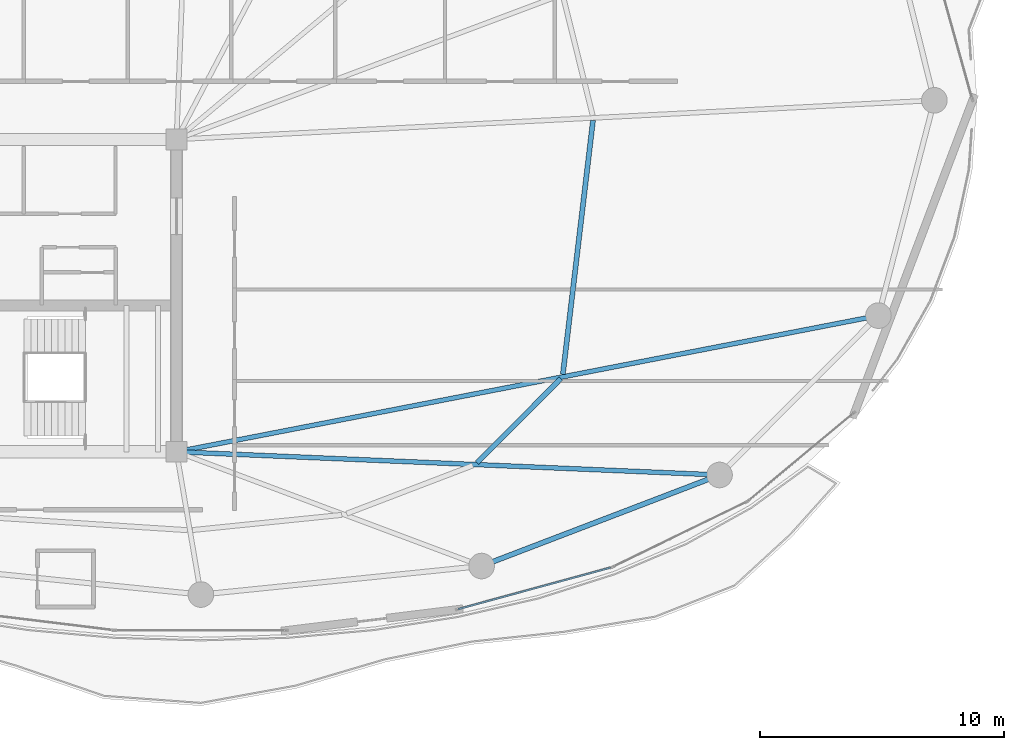
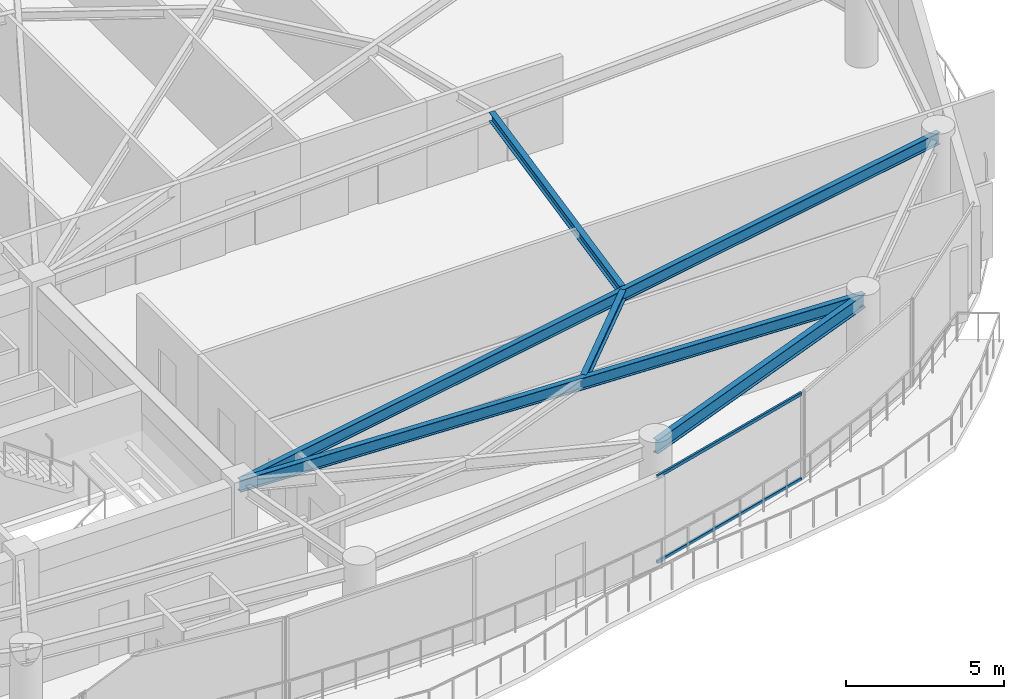
# One storey, part 11 of 29: 5 beams, 2 members, 1 element without a shape of its own.
"""IFC4 building model written with IfcOpenShell, lengths in metres."""

from ifc_helpers import new_model, si_unit, direction, frame, origin, origin_2d, place, context, subcontext, project, spatial, hollow_rectangle, i_section, extrude, material, layer, layer_set, material_profile, profile_set, type_object, element, aggregate, save


model = new_model("IFC4")

# Units and contexts
model_context = context("Model", 3, precision=1e-05, world=origin(), true_north=direction((0.0, 1.0)))
body_context = subcontext(model_context, "Body", "Model", "MODEL_VIEW")
ifc_project = project(units=[si_unit("LENGTHUNIT", "METRE"), si_unit("AREAUNIT", "SQUARE_METRE"), si_unit("VOLUMEUNIT", "CUBIC_METRE"), si_unit("PLANEANGLEUNIT", "RADIAN"), si_unit("MASSUNIT", "GRAM", prefix="KILO")], contexts=[model_context])

# Site, building, storey
site_placement = place(None, origin())
site = spatial("IfcSite", under=ifc_project, at=site_placement, CompositionType="ELEMENT")
building_placement = place(site_placement, origin())
building = spatial("IfcBuilding", under=site, at=building_placement, Name="Kazevale Care Tower and Concert Hall", CompositionType="ELEMENT")
storey_placement = place(building_placement, frame((0.0, 0.0, 224.39990234375)))
storey = spatial("IfcBuildingStorey", under=building, at=storey_placement, Name="L59", CompositionType="ELEMENT", Elevation=224.39990234375)

# Curtain wall, members
ifc_material_1 = material(Name="Aluminium 6063-T6 and Low-E Glass", Category="aluminium")
ifc_layer = layer(ifc_material_1, 0.179931640625)
ifc_layer_set = layer_set([ifc_layer], Name="Aluminium 6063-T6 and Low-E Glass")
curtain_wall_type = type_object("IfcCurtainWallType", Name="Sheltered Concave Balcony Curtain Wall CW-5", PredefinedType="NOTDEFINED", material=ifc_layer_set)
curtain_wall_placement = place(storey_placement, origin())
curtain_wall = element("IfcCurtainWall", 1, at=curtain_wall_placement, inside=storey, type_object=curtain_wall_type, Name="cw:L59:f04", PredefinedType="NOTDEFINED")
ifc_material_2 = material(Name="Aluminium 6063-T6", Category="aluminium")
ifc_material_profile_1 = material_profile(ifc_material_2, hollow_rectangle(XDim=0.074951171875, YDim=0.1201171875, WallThickness=0.00390625, at=origin_2d()), Name="ALU75x120x4")
ifc_profile_set_1 = profile_set([ifc_material_profile_1], Name="Aluminium 6063-T6")
member_type = type_object("IfcMemberType", Name="CW-5 Transom ALU75x120x4", PredefinedType="USERDEFINED", material=ifc_profile_set_1)
member_1_placement = place(storey_placement, frame((61.78369140625, 18.853271484375, 0.03759765625), z_axis=(-0.964843890632, -0.262823641842, 0.0), x_axis=(0.262823641842, -0.964843890632, 0.0)))
member_1 = element("IfcMember", 2, at=member_1_placement, type_object=member_type, Name="CW-5 transom 1.1", ObjectType="TRANSOM", PredefinedType="USERDEFINED", context=body_context, shape_type="SweptSolid", body=[
    extrude(hollow_rectangle(XDim=0.074951171875, YDim=0.1201171875, WallThickness=0.00390625, at=origin_2d()), origin(), (0.0, 0.0, 1.0), 6.469970703125),
])
member_2_placement = place(storey_placement, frame((61.78369140625, 18.853271484375, 3.322509765625), z_axis=(-0.964843890632, -0.262823641842, 0.0), x_axis=(0.262823641842, -0.964843890632, 0.0)))
member_2 = element("IfcMember", 3, at=member_2_placement, type_object=member_type, Name="CW-5 transom 1.2", ObjectType="TRANSOM", PredefinedType="USERDEFINED", context=body_context, shape_type="SweptSolid", body=[
    extrude(hollow_rectangle(XDim=0.074951171875, YDim=0.1201171875, WallThickness=0.00390625, at=origin_2d()), origin(), (0.0, 0.0, 1.0), 6.469970703125),
])
aggregate(curtain_wall, [member_1, member_2])

# Beams
ifc_material_3 = material(Name="Steel ASTM A572 Gr 50", Category="steel")
ifc_material_profile_2 = material_profile(ifc_material_3, i_section(OverallWidth=0.19091796875, OverallDepth=0.4599609375, WebThickness=0.010009765625, FlangeThickness=0.01611328125, at=origin_2d()), Name="W460x82")
ifc_profile_set_2 = profile_set([ifc_material_profile_2], Name="Steel ASTM A572 Gr 50")
beam_type_1 = type_object("IfcBeamType", Name="Radial Floor Beam W460x82", PredefinedType="BEAM", material=ifc_profile_set_2)
beam_1_placement = place(storey_placement, frame((44.0, 23.60009765625, 3.130126953125), z_axis=(0.999089369477, -0.042666518456, 0.0), x_axis=(0.042666518456, 0.999089369477, 0.0)))
element("IfcBeam", 4, at=beam_1_placement, inside=storey, type_object=beam_type_1, Name="beam:L59:rad:15", PredefinedType="BEAM", context=body_context, shape_type="SweptSolid", body=[
    extrude(i_section(OverallWidth=0.19091796875, OverallDepth=0.4599609375, WebThickness=0.010009765625, FlangeThickness=0.01611328125, at=origin_2d()), origin(), (0.0, 0.0, 1.0), 22.270263671875),
])
beam_2_placement = place(storey_placement, frame((44.0, 23.60009765625, 3.130126953125), z_axis=(0.981694544574, 0.190462125247, 0.0), x_axis=(-0.190462125247, 0.981694544574, 0.0)))
element("IfcBeam", 5, at=beam_2_placement, inside=storey, type_object=beam_type_1, Name="beam:L59:rad:16", PredefinedType="BEAM", context=body_context, shape_type="SweptSolid", body=[
    extrude(i_section(OverallWidth=0.19091796875, OverallDepth=0.4599609375, WebThickness=0.010009765625, FlangeThickness=0.01611328125, at=origin_2d()), origin(), (0.0, 0.0, 1.0), 29.29638671875),
])
ifc_material_profile_3 = material_profile(ifc_material_3, i_section(OverallWidth=0.205078125, OverallDepth=0.35400390625, WebThickness=0.009521484375, FlangeThickness=0.016845703125, at=origin_2d()), Name="W360x79")
ifc_profile_set_3 = profile_set([ifc_material_profile_3], Name="Steel ASTM A572 Gr 50")
beam_type_2 = type_object("IfcBeamType", Name="Secondary Floor Joist W360x79", PredefinedType="JOIST", material=ifc_profile_set_3)
beam_3_placement = place(storey_placement, frame((56.31201171875, 23.152099609375, 3.18310546875), z_axis=(0.705975874919, 0.708235881633, 0.0), x_axis=(-0.708235881633, 0.705975874919, 0.0)))
element("IfcBeam", 6, at=beam_3_placement, inside=storey, type_object=beam_type_2, Name="beam:L59:joist:15", PredefinedType="JOIST", context=body_context, shape_type="SweptSolid", body=[
    extrude(i_section(OverallWidth=0.205078125, OverallDepth=0.35400390625, WebThickness=0.009521484375, FlangeThickness=0.016845703125, at=origin_2d()), origin(), (0.0, 0.0, 1.0), 4.861083984375),
])
beam_4_placement = place(storey_placement, frame((59.830078125, 26.77294921875, 3.18310546875), z_axis=(0.117874218468, 0.993028533639, 0.0), x_axis=(-0.993028533639, 0.117874218468, 0.0)))
element("IfcBeam", 7, at=beam_4_placement, inside=storey, type_object=beam_type_2, Name="beam:L59:joist:16", PredefinedType="JOIST", context=body_context, shape_type="SweptSolid", body=[
    extrude(i_section(OverallWidth=0.205078125, OverallDepth=0.35400390625, WebThickness=0.009521484375, FlangeThickness=0.016845703125, at=origin_2d()), origin(), (0.0, 0.0, 1.0), 10.47607421875),
])
ifc_material_profile_4 = material_profile(ifc_material_3, i_section(OverallWidth=0.208984375, OverallDepth=0.532958984375, WebThickness=0.01025390625, FlangeThickness=0.015625, at=origin_2d()), Name="W530x92")
ifc_profile_set_4 = profile_set([ifc_material_profile_4], Name="Steel ASTM A572 Gr 50")
beam_type_3 = type_object("IfcBeamType", Name="Upper Ring Beam W530x92", PredefinedType="BEAM", material=ifc_profile_set_4)
beam_5_placement = place(storey_placement, frame((56.5, 18.919921875, 3.093505859375), z_axis=(0.933986653173, 0.357307894811, 0.0), x_axis=(-0.357307894811, 0.933986653173, 0.0)))
element("IfcBeam", 8, at=beam_5_placement, inside=storey, type_object=beam_type_3, Name="beam:L59:ring:14", PredefinedType="BEAM", context=body_context, shape_type="SweptSolid", body=[
    extrude(i_section(OverallWidth=0.208984375, OverallDepth=0.532958984375, WebThickness=0.01025390625, FlangeThickness=0.015625, at=origin_2d()), origin(), (0.0, 0.0, 1.0), 10.439208984375),
])

save(model, "model.ifc")
